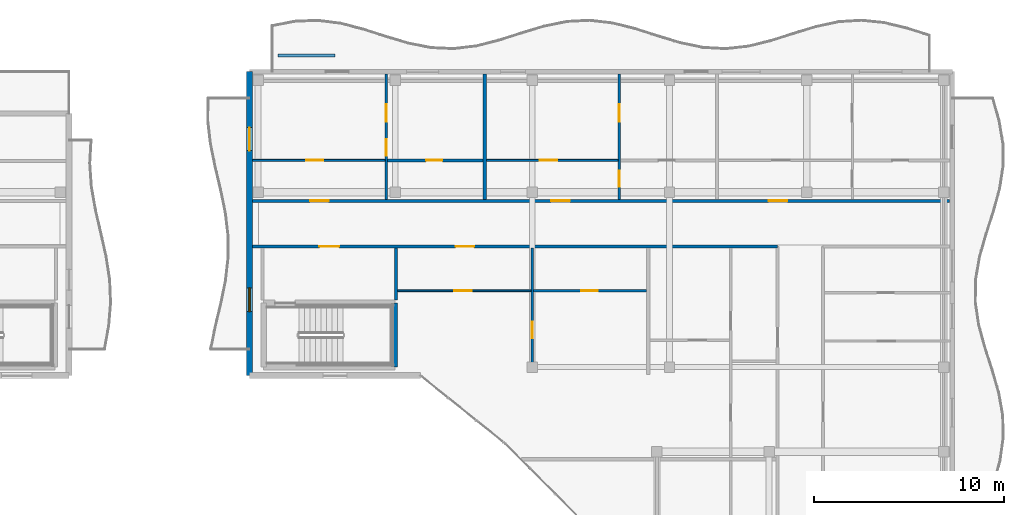
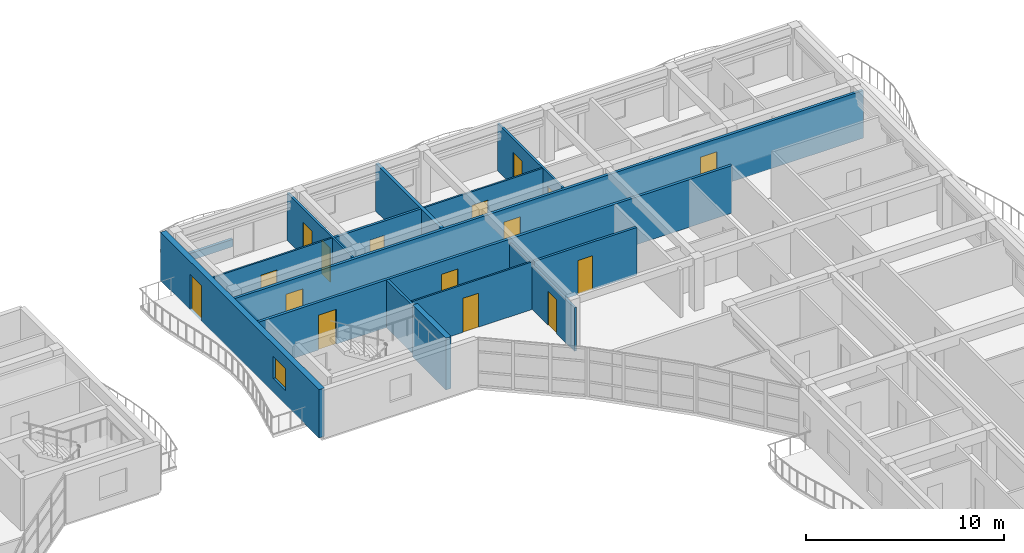
# One storey, part 36 of 54: 16 doors, 15 walls, 1 window, 17 openings.
"""IFC4 building model written with IfcOpenShell, lengths in metres."""

from ifc_helpers import new_model, si_unit, direction, frame, frame_2d, origin, place, context, subcontext, project, spatial, rectangle, extrude, material, layer, layer_set, type_object, element, fill, save


model = new_model("IFC4")

# Units and contexts
model_context = context("Model", 3, precision=1e-05, world=origin(), true_north=direction((0.0, 1.0)))
body_context = subcontext(model_context, "Body", "Model", "MODEL_VIEW")
ifc_project = project(units=[si_unit("LENGTHUNIT", "METRE"), si_unit("AREAUNIT", "SQUARE_METRE"), si_unit("VOLUMEUNIT", "CUBIC_METRE"), si_unit("PLANEANGLEUNIT", "RADIAN"), si_unit("MASSUNIT", "GRAM", prefix="KILO")], contexts=[model_context])

# Site, building, storey
site_placement = place(None, origin())
site = spatial("IfcSite", under=ifc_project, at=site_placement, CompositionType="ELEMENT")
building_placement = place(site_placement, origin())
building = spatial("IfcBuilding", under=site, at=building_placement, Name="Keldmere Railside Commons", CompositionType="ELEMENT")
storey_placement = place(building_placement, frame((0.0, 0.0, 26.56005859375)))
storey = spatial("IfcBuildingStorey", under=building, at=storey_placement, Name="L08", CompositionType="ELEMENT", Elevation=26.56005859375)

# Wall
ifc_material_1 = material(Name="Acoustic Gypsum Board Partition", Category="gypsum")
ifc_layer_1 = layer(ifc_material_1, 0.179931640625, Name="Acoustic Demising Partition 180")
ifc_layer_set_1 = layer_set([ifc_layer_1], Name="Acoustic Gypsum Board Partition")
wall_type_1 = type_object("IfcWallType", Name="Acoustic Demising Partition 180", PredefinedType="PARTITIONING", material=ifc_layer_set_1)
wall_1_placement = place(storey_placement, frame((159.389892578125, 109.280029296875, 0.0), z_axis=(0.0, 0.0, 1.0), x_axis=(0.0, 1.0, 0.0)))
element("IfcWall", 1, at=wall_1_placement, inside=storey, type_object=wall_type_1, Name="IW-1 IW-L08-1747", PredefinedType="PARTITIONING", context=body_context, shape_type="SweptSolid", body=[
    extrude(rectangle(XDim=6.599853515625, YDim=0.179931640625, at=frame_2d((3.2998046875, 0.0))), origin(), (0.0, 0.0, 1.0), 2.93505859375),
])

# Wall, openings, doors
ifc_layer_2 = layer(ifc_material_1, 0.1201171875, Name="Apartment Interior Partition 120")
ifc_layer_set_2 = layer_set([ifc_layer_2], Name="Acoustic Gypsum Board Partition")
wall_type_2 = type_object("IfcWallType", Name="Apartment Interior Partition 120", PredefinedType="PARTITIONING", material=ifc_layer_set_2)
wall_2_placement = place(storey_placement, frame((154.199951171875, 109.280029296875, 0.0), z_axis=(0.0, 0.0, 1.0), x_axis=(0.0, 1.0, 0.0)))
wall_2 = element("IfcWall", 2, at=wall_2_placement, inside=storey, type_object=wall_type_2, Name="IW-4 IW-L08-1749", PredefinedType="PARTITIONING", context=body_context, shape_type="SweptSolid", body=[
    extrude(rectangle(XDim=6.599853515625, YDim=0.1201171875, at=frame_2d((3.2998046875, 0.0))), origin(), (0.0, 0.0, 1.0), 2.93505859375),
])
opening_1_placement = place(wall_2_placement, frame((2.305908203125, 0.0, 0.0)))
opening_1 = element("IfcOpeningElement", 3, at=opening_1_placement, cuts=wall_2, Name="Opening ID-04", PredefinedType="OPENING", context=body_context, shape_type="SweptSolid", body=[
    extrude(rectangle(XDim=0.860107421875, YDim=2.10009765625, at=frame_2d((0.43017578125, 1.050048828125))), frame((0.0, 0.070068359375, 0.0), z_axis=(0.0, -1.0, 0.0), x_axis=(1.0, 0.0, 0.0)), (0.0, 0.0, 1.0), 0.14013671875),
])
opening_2_placement = place(wall_2_placement, frame((4.097412109375, 0.0, 0.0)))
opening_2 = element("IfcOpeningElement", 4, at=opening_2_placement, cuts=wall_2, Name="Opening ID-01", PredefinedType="OPENING", context=body_context, shape_type="SweptSolid", body=[
    extrude(rectangle(XDim=0.89990234375, YDim=2.10009765625, at=frame_2d((0.449951171875, 1.050048828125))), frame((0.0, 0.070068359375, 0.0), z_axis=(0.0, -1.0, 0.0), x_axis=(1.0, 0.0, 0.0)), (0.0, 0.0, 1.0), 0.14013671875),
])
ifc_material_2 = material(Name="Engineered Oak Timber", Category="wood")
door_type_1 = type_object("IfcDoorType", Name="Apartment Bathroom Door 860x2100", OperationType="NOTDEFINED", PredefinedType="DOOR", material=ifc_material_2)
door_1_placement = place(opening_1_placement, origin())
door_1 = element("IfcDoor", 5, at=door_1_placement, inside=storey, type_object=door_type_1, Name="ID-04 IDR-L08-1592", OperationType="SINGLE_SWING_RIGHT", OverallHeight=2.10009765625, OverallWidth=0.860107421875, PredefinedType="DOOR", context=body_context, shape_type="SweptSolid", body=[
    extrude(rectangle(XDim=0.860107421875, YDim=2.10009765625, at=frame_2d((0.43017578125, 1.050048828125))), frame((0.0, 0.02490234375, 0.0), z_axis=(0.0, -1.0, 0.0), x_axis=(1.0, 0.0, 0.0)), (0.0, 0.0, 1.0), 0.050048828125),
])
fill(opening_1, door_1)
door_type_2 = type_object("IfcDoorType", Name="Primary Bedroom Door 900x2100", OperationType="NOTDEFINED", PredefinedType="DOOR", material=ifc_material_2)
door_2_placement = place(opening_2_placement, origin())
door_2 = element("IfcDoor", 6, at=door_2_placement, inside=storey, type_object=door_type_2, Name="ID-01 IDR-L08-1593", OperationType="SINGLE_SWING_LEFT", OverallHeight=2.10009765625, OverallWidth=0.89990234375, PredefinedType="DOOR", context=body_context, shape_type="SweptSolid", body=[
    extrude(rectangle(XDim=0.89990234375, YDim=2.10009765625, at=frame_2d((0.449951171875, 1.050048828125))), frame((0.0, 0.02490234375, 0.0), z_axis=(0.0, -1.0, 0.0), x_axis=(1.0, 0.0, 0.0)), (0.0, 0.0, 1.0), 0.050048828125),
])
fill(opening_2, door_2)

wall_3_placement = place(storey_placement, frame((166.4599609375, 109.280029296875, 0.0), z_axis=(0.0, 0.0, 1.0), x_axis=(0.0, 1.0, 0.0)))
wall_3 = element("IfcWall", 7, at=wall_3_placement, inside=storey, type_object=wall_type_2, Name="IW-4 IW-L08-1752", PredefinedType="PARTITIONING", context=body_context, shape_type="SweptSolid", body=[
    extrude(rectangle(XDim=6.599853515625, YDim=0.1201171875, at=frame_2d((3.2998046875, 0.0))), origin(), (0.0, 0.0, 1.0), 2.93505859375),
])
opening_3_placement = place(wall_3_placement, frame((0.656005859375, 0.0, 0.0)))
opening_3 = element("IfcOpeningElement", 8, at=opening_3_placement, cuts=wall_3, Name="Opening ID-04", PredefinedType="OPENING", context=body_context, shape_type="SweptSolid", body=[
    extrude(rectangle(XDim=0.860107421875, YDim=2.10009765625, at=frame_2d((0.43017578125, 1.050048828125))), frame((0.0, 0.070068359375, 0.0), z_axis=(0.0, -1.0, 0.0), x_axis=(1.0, 0.0, 0.0)), (0.0, 0.0, 1.0), 0.14013671875),
])
opening_4_placement = place(wall_3_placement, frame((4.097412109375, 0.0, 0.0)))
opening_4 = element("IfcOpeningElement", 9, at=opening_4_placement, cuts=wall_3, Name="Opening ID-01", PredefinedType="OPENING", context=body_context, shape_type="SweptSolid", body=[
    extrude(rectangle(XDim=0.89990234375, YDim=2.10009765625, at=frame_2d((0.449951171875, 1.050048828125))), frame((0.0, 0.070068359375, 0.0), z_axis=(0.0, -1.0, 0.0), x_axis=(1.0, 0.0, 0.0)), (0.0, 0.0, 1.0), 0.14013671875),
])
door_3_placement = place(opening_3_placement, origin())
door_3 = element("IfcDoor", 10, at=door_3_placement, inside=storey, type_object=door_type_1, Name="ID-04 IDR-L08-1597", OperationType="SINGLE_SWING_LEFT", OverallHeight=2.10009765625, OverallWidth=0.860107421875, PredefinedType="DOOR", context=body_context, shape_type="SweptSolid", body=[
    extrude(rectangle(XDim=0.860107421875, YDim=2.10009765625, at=frame_2d((0.43017578125, 1.050048828125))), frame((0.0, 0.02490234375, 0.0), z_axis=(0.0, -1.0, 0.0), x_axis=(1.0, 0.0, 0.0)), (0.0, 0.0, 1.0), 0.050048828125),
])
fill(opening_3, door_3)
door_4_placement = place(opening_4_placement, origin())
door_4 = element("IfcDoor", 11, at=door_4_placement, inside=storey, type_object=door_type_2, Name="ID-01 IDR-L08-1598", OperationType="SINGLE_SWING_RIGHT", OverallHeight=2.10009765625, OverallWidth=0.89990234375, PredefinedType="DOOR", context=body_context, shape_type="SweptSolid", body=[
    extrude(rectangle(XDim=0.89990234375, YDim=2.10009765625, at=frame_2d((0.449951171875, 1.050048828125))), frame((0.0, 0.02490234375, 0.0), z_axis=(0.0, -1.0, 0.0), x_axis=(1.0, 0.0, 0.0)), (0.0, 0.0, 1.0), 0.050048828125),
])
fill(opening_4, door_4)

# Wall, opening, door
wall_4_placement = place(storey_placement, frame((161.8798828125, 100.159912109375, 0.0), z_axis=(0.0, 0.0, 1.0), x_axis=(0.0, 1.0, 0.0)))
wall_4 = element("IfcWall", 12, at=wall_4_placement, inside=storey, type_object=wall_type_2, Name="IW-4 IW-L08-1758", PredefinedType="PARTITIONING", context=body_context, shape_type="SweptSolid", body=[
    extrude(rectangle(XDim=6.56005859375, YDim=0.1201171875, at=frame_2d((3.280029296875, 0.0))), origin(), (0.0, 0.0, 1.0), 2.679931640625),
])
opening_5_placement = place(wall_4_placement, frame((1.810302734375, 0.0, 0.0)))
opening_5 = element("IfcOpeningElement", 13, at=opening_5_placement, cuts=wall_4, Name="Opening ID-02", PredefinedType="OPENING", context=body_context, shape_type="SweptSolid", body=[
    extrude(rectangle(XDim=0.8798828125, YDim=2.10009765625, at=frame_2d((0.43994140625, 1.050048828125))), frame((0.0, 0.070068359375, 0.0), z_axis=(0.0, -1.0, 0.0), x_axis=(1.0, 0.0, 0.0)), (0.0, 0.0, 1.0), 0.14013671875),
])
door_type_3 = type_object("IfcDoorType", Name="Secondary Bedroom Door 880x2100", OperationType="NOTDEFINED", PredefinedType="DOOR", material=ifc_material_2)
door_5_placement = place(opening_5_placement, origin())
door_5 = element("IfcDoor", 14, at=door_5_placement, inside=storey, type_object=door_type_3, Name="ID-02 IDR-L08-1607", OperationType="SINGLE_SWING_LEFT", OverallHeight=2.10009765625, OverallWidth=0.8798828125, PredefinedType="DOOR", context=body_context, shape_type="SweptSolid", body=[
    extrude(rectangle(XDim=0.8798828125, YDim=2.10009765625, at=frame_2d((0.43994140625, 1.050048828125))), frame((0.0, 0.02490234375, 0.0), z_axis=(0.0, -1.0, 0.0), x_axis=(1.0, 0.0, 0.0)), (0.0, 0.0, 1.0), 0.050048828125),
])
fill(opening_5, door_5)

# Wall
ifc_material_3 = material(Name="White Precast Concrete H-35 (C35/45)", Category="concrete")
ifc_layer_3 = layer(ifc_material_3, 0.169921875, Name="Balcony Planter Kerb Wall 170")
ifc_layer_set_3 = layer_set([ifc_layer_3], Name="White Precast Concrete H-35 (C35/45)")
wall_type_3 = type_object("IfcWallType", Name="Balcony Planter Kerb Wall 170", PredefinedType="PARAPET", material=ifc_layer_set_3)
wall_5_placement = place(storey_placement, frame((148.5, 116.85009765625, 0.0), z_axis=(0.0, 0.0, 1.0), x_axis=(1.0, 0.0, 0.0)))
element("IfcWall", 15, at=wall_5_placement, inside=storey, type_object=wall_type_3, Name="PW-2 PKBA-L08-0937", PredefinedType="PARAPET", context=body_context, shape_type="SweptSolid", body=[
    extrude(rectangle(XDim=3.0, YDim=0.169921875, at=frame_2d((1.5, 0.0))), origin(), (0.0, 0.0, 1.0), 0.449951171875),
])

# Wall, opening, door
ifc_layer_4 = layer(ifc_material_1, 0.10009765625, Name="Closet Light Partition 100")
ifc_layer_set_4 = layer_set([ifc_layer_4], Name="Acoustic Gypsum Board Partition")
wall_type_4 = type_object("IfcWallType", Name="Closet Light Partition 100", PredefinedType="PARTITIONING", material=ifc_layer_set_4)
wall_6_placement = place(storey_placement, frame((147.159912109375, 111.330078125, 0.0), z_axis=(0.0, 0.0, 1.0), x_axis=(1.0, 0.0, 0.0)))
wall_6 = element("IfcWall", 16, at=wall_6_placement, inside=storey, type_object=wall_type_4, Name="IW-6 IW-L08-1751", PredefinedType="PARTITIONING", context=body_context, shape_type="SweptSolid", body=[
    extrude(rectangle(XDim=6.97998046875, YDim=0.10009765625, at=frame_2d((3.489990234375, 0.0))), origin(), (0.0, 0.0, 1.0), 2.93505859375),
])
opening_6_placement = place(wall_6_placement, frame((2.81591796875, 0.0, 0.0)))
opening_6 = element("IfcOpeningElement", 17, at=opening_6_placement, cuts=wall_6, Name="Opening ID-03", PredefinedType="OPENING", context=body_context, shape_type="SweptSolid", body=[
    extrude(rectangle(XDim=0.919921875, YDim=2.10009765625, at=frame_2d((0.4599609375, 1.050048828125))), frame((0.0, 0.06005859375, 0.0), z_axis=(0.0, -1.0, 0.0), x_axis=(1.0, 0.0, 0.0)), (0.0, 0.0, 1.0), 0.1201171875),
])
door_type_4 = type_object("IfcDoorType", Name="Kitchen Pocket-Frame Swing Door 920x2100", OperationType="NOTDEFINED", PredefinedType="DOOR", material=ifc_material_2)
door_6_placement = place(opening_6_placement, origin())
door_6 = element("IfcDoor", 18, at=door_6_placement, inside=storey, type_object=door_type_4, Name="ID-03 IDR-L08-1591", OperationType="SINGLE_SWING_LEFT", OverallHeight=2.10009765625, OverallWidth=0.919921875, PredefinedType="DOOR", context=body_context, shape_type="SweptSolid", body=[
    extrude(rectangle(XDim=0.919921875, YDim=2.10009765625, at=frame_2d((0.4599609375, 1.050048828125))), frame((0.0, 0.02490234375, 0.0), z_axis=(0.0, -1.0, 0.0), x_axis=(1.0, 0.0, 0.0)), (0.0, 0.0, 1.0), 0.050048828125),
])
fill(opening_6, door_6)

wall_7_placement = place(storey_placement, frame((159.47998046875, 111.330078125, 0.0), z_axis=(0.0, 0.0, 1.0), x_axis=(1.0, 0.0, 0.0)))
wall_7 = element("IfcWall", 19, at=wall_7_placement, inside=storey, type_object=wall_type_4, Name="IW-6 IW-L08-1754", PredefinedType="PARTITIONING", context=body_context, shape_type="SweptSolid", body=[
    extrude(rectangle(XDim=6.919921875, YDim=0.10009765625, at=frame_2d((3.4599609375, 0.0))), origin(), (0.0, 0.0, 1.0), 2.93505859375),
])
opening_7_placement = place(wall_7_placement, frame((2.7919921875, 0.0, 0.0)))
opening_7 = element("IfcOpeningElement", 20, at=opening_7_placement, cuts=wall_7, Name="Opening ID-03", PredefinedType="OPENING", context=body_context, shape_type="SweptSolid", body=[
    extrude(rectangle(XDim=0.919921875, YDim=2.10009765625, at=frame_2d((0.4599609375, 1.050048828125))), frame((0.0, 0.06005859375, 0.0), z_axis=(0.0, -1.0, 0.0), x_axis=(1.0, 0.0, 0.0)), (0.0, 0.0, 1.0), 0.1201171875),
])
door_7_placement = place(opening_7_placement, origin())
door_7 = element("IfcDoor", 21, at=door_7_placement, inside=storey, type_object=door_type_4, Name="ID-03 IDR-L08-1596", OperationType="SINGLE_SWING_RIGHT", OverallHeight=2.10009765625, OverallWidth=0.919921875, PredefinedType="DOOR", context=body_context, shape_type="SweptSolid", body=[
    extrude(rectangle(XDim=0.919921875, YDim=2.10009765625, at=frame_2d((0.4599609375, 1.050048828125))), frame((0.0, 0.02490234375, 0.0), z_axis=(0.0, -1.0, 0.0), x_axis=(1.0, 0.0, 0.0)), (0.0, 0.0, 1.0), 0.050048828125),
])
fill(opening_7, door_7)

wall_8_placement = place(storey_placement, frame((154.800048828125, 104.469970703125, 0.0), z_axis=(0.0, 0.0, 1.0), x_axis=(1.0, 0.0, 0.0)))
wall_8 = element("IfcWall", 22, at=wall_8_placement, inside=storey, type_object=wall_type_4, Name="IW-6 IW-L08-1760", PredefinedType="PARTITIONING", context=body_context, shape_type="SweptSolid", body=[
    extrude(rectangle(XDim=7.02001953125, YDim=0.10009765625, at=frame_2d((3.510009765625, 0.0))), origin(), (0.0, 0.0, 1.0), 2.93505859375),
])
opening_8_placement = place(wall_8_placement, frame((2.9736328125, 0.0, 0.0)))
opening_8 = element("IfcOpeningElement", 23, at=opening_8_placement, cuts=wall_8, Name="Opening ID-03", PredefinedType="OPENING", context=body_context, shape_type="SweptSolid", body=[
    extrude(rectangle(XDim=0.919921875, YDim=2.10009765625, at=frame_2d((0.4599609375, 1.050048828125))), frame((0.0, 0.06005859375, 0.0), z_axis=(0.0, -1.0, 0.0), x_axis=(1.0, 0.0, 0.0)), (0.0, 0.0, 1.0), 0.1201171875),
])
door_8_placement = place(opening_8_placement, origin())
door_8 = element("IfcDoor", 24, at=door_8_placement, inside=storey, type_object=door_type_4, Name="ID-03 IDR-L08-1606", OperationType="SINGLE_SWING_RIGHT", OverallHeight=2.10009765625, OverallWidth=0.919921875, PredefinedType="DOOR", context=body_context, shape_type="SweptSolid", body=[
    extrude(rectangle(XDim=0.919921875, YDim=2.10009765625, at=frame_2d((0.4599609375, 1.050048828125))), frame((0.0, 0.02490234375, 0.0), z_axis=(0.0, -1.0, 0.0), x_axis=(1.0, 0.0, 0.0)), (0.0, 0.0, 1.0), 0.050048828125),
])
fill(opening_8, door_8)

# Wall, openings, doors
ifc_layer_5 = layer(ifc_material_1, 0.159912109375, Name="Corridor Fire Partition 160")
ifc_layer_set_5 = layer_set([ifc_layer_5], Name="Acoustic Gypsum Board Partition")
wall_type_5 = type_object("IfcWallType", Name="Corridor Fire Partition 160", PredefinedType="PARTITIONING", material=ifc_layer_set_5)
wall_9_placement = place(storey_placement, frame((147.159912109375, 106.800048828125, 0.0), z_axis=(0.0, 0.0, 1.0), x_axis=(1.0, 0.0, 0.0)))
wall_9 = element("IfcWall", 25, at=wall_9_placement, inside=storey, type_object=wall_type_5, Name="IW-2 IW-L08-1724", PredefinedType="PARTITIONING", context=body_context, shape_type="SweptSolid", body=[
    extrude(rectangle(XDim=27.64013671875, YDim=0.159912109375, at=frame_2d((13.820068359375, 0.0))), origin(), (0.0, 0.0, 1.0), 2.93505859375),
])
opening_9_placement = place(wall_9_placement, frame((3.514892578125, 0.0, 0.0)))
opening_9 = element("IfcOpeningElement", 26, at=opening_9_placement, cuts=wall_9, Name="Opening FD-1", PredefinedType="OPENING", context=body_context, shape_type="SweptSolid", body=[
    extrude(rectangle(XDim=1.050048828125, YDim=2.14990234375, at=frame_2d((0.52490234375, 1.074951171875))), frame((0.0, 0.08984375, 0.0), z_axis=(0.0, -1.0, 0.0), x_axis=(1.0, 0.0, 0.0)), (0.0, 0.0, 1.0), 0.179931640625),
])
opening_10_placement = place(wall_9_placement, frame((10.68994140625, 0.0, 0.0)))
opening_10 = element("IfcOpeningElement", 27, at=opening_10_placement, cuts=wall_9, Name="Opening FD-7", PredefinedType="OPENING", context=body_context, shape_type="SweptSolid", body=[
    extrude(rectangle(XDim=0.97998046875, YDim=2.14990234375, at=frame_2d((0.489990234375, 1.074951171875))), frame((0.0, 0.08984375, 0.0), z_axis=(0.0, -1.0, 0.0), x_axis=(1.0, 0.0, 0.0)), (0.0, 0.0, 1.0), 0.179931640625),
])
door_type_5 = type_object("IfcDoorType", Name="Apartment Entrance Acoustic Fire Door 980x2150", OperationType="NOTDEFINED", PredefinedType="DOOR", material=ifc_material_2)
door_9_placement = place(opening_10_placement, origin())
door_9 = element("IfcDoor", 28, at=door_9_placement, inside=storey, type_object=door_type_5, Name="FD-7 IDR-L08-1605", OperationType="SINGLE_SWING_LEFT", OverallHeight=2.14990234375, OverallWidth=0.97998046875, PredefinedType="DOOR", context=body_context, shape_type="SweptSolid", body=[
    extrude(rectangle(XDim=0.97998046875, YDim=2.14990234375, at=frame_2d((0.489990234375, 1.074951171875))), frame((0.0, 0.02490234375, 0.0), z_axis=(0.0, -1.0, 0.0), x_axis=(1.0, 0.0, 0.0)), (0.0, 0.0, 1.0), 0.050048828125),
])
fill(opening_10, door_9)
ifc_material_4 = material(Name="Steel F-24 (S235)", Category="steel")
door_type_6 = type_object("IfcDoorType", Name="Stair Core Fire Door 1050x2150", OperationType="NOTDEFINED", PredefinedType="DOOR", material=ifc_material_4)
door_10_placement = place(opening_9_placement, origin())
door_10 = element("IfcDoor", 29, at=door_10_placement, inside=storey, type_object=door_type_6, Name="FD-1 IDR-L08-1569", OperationType="SINGLE_SWING_LEFT", OverallHeight=2.14990234375, OverallWidth=1.050048828125, PredefinedType="DOOR", context=body_context, shape_type="SweptSolid", body=[
    extrude(rectangle(XDim=1.050048828125, YDim=2.14990234375, at=frame_2d((0.52490234375, 1.074951171875))), frame((0.0, 0.02490234375, 0.0), z_axis=(0.0, -1.0, 0.0), x_axis=(1.0, 0.0, 0.0)), (0.0, 0.0, 1.0), 0.050048828125),
])
fill(opening_9, door_10)

wall_10_placement = place(storey_placement, frame((147.159912109375, 109.199951171875, 0.0), z_axis=(0.0, 0.0, 1.0), x_axis=(1.0, 0.0, 0.0)))
wall_10 = element("IfcWall", 30, at=wall_10_placement, inside=storey, type_object=wall_type_5, Name="IW-2 IW-L08-1726", PredefinedType="PARTITIONING", context=body_context, shape_type="SweptSolid", body=[
    extrude(rectangle(XDim=36.68017578125, YDim=0.159912109375, at=frame_2d((18.340087890625, 0.0))), origin(), (0.0, 0.0, 1.0), 2.93505859375),
])
opening_11_placement = place(wall_10_placement, frame((3.030029296875, 0.0, 0.0)))
opening_11 = element("IfcOpeningElement", 31, at=opening_11_placement, cuts=wall_10, Name="Opening FD-7", PredefinedType="OPENING", context=body_context, shape_type="SweptSolid", body=[
    extrude(rectangle(XDim=0.97998046875, YDim=2.14990234375, at=frame_2d((0.489990234375, 1.074951171875))), frame((0.0, 0.08984375, 0.0), z_axis=(0.0, -1.0, 0.0), x_axis=(1.0, 0.0, 0.0)), (0.0, 0.0, 1.0), 0.179931640625),
])
opening_12_placement = place(wall_10_placement, frame((15.719970703125, 0.0, 0.0)))
opening_12 = element("IfcOpeningElement", 32, at=opening_12_placement, cuts=wall_10, Name="Opening FD-7", PredefinedType="OPENING", context=body_context, shape_type="SweptSolid", body=[
    extrude(rectangle(XDim=0.97998046875, YDim=2.14990234375, at=frame_2d((0.489990234375, 1.074951171875))), frame((0.0, 0.08984375, 0.0), z_axis=(0.0, -1.0, 0.0), x_axis=(1.0, 0.0, 0.0)), (0.0, 0.0, 1.0), 0.179931640625),
])
opening_13_placement = place(wall_10_placement, frame((27.169921875, 0.0, 0.0)))
opening_13 = element("IfcOpeningElement", 33, at=opening_13_placement, cuts=wall_10, Name="Opening FD-7", PredefinedType="OPENING", context=body_context, shape_type="SweptSolid", body=[
    extrude(rectangle(XDim=0.97998046875, YDim=2.14990234375, at=frame_2d((0.489990234375, 1.074951171875))), frame((0.0, 0.08984375, 0.0), z_axis=(0.0, -1.0, 0.0), x_axis=(1.0, 0.0, 0.0)), (0.0, 0.0, 1.0), 0.179931640625),
])
door_11_placement = place(opening_11_placement, origin())
door_11 = element("IfcDoor", 34, at=door_11_placement, inside=storey, type_object=door_type_5, Name="FD-7 IDR-L08-1590", OperationType="SINGLE_SWING_RIGHT", OverallHeight=2.14990234375, OverallWidth=0.97998046875, PredefinedType="DOOR", context=body_context, shape_type="SweptSolid", body=[
    extrude(rectangle(XDim=0.97998046875, YDim=2.14990234375, at=frame_2d((0.489990234375, 1.074951171875))), frame((0.0, 0.02490234375, 0.0), z_axis=(0.0, -1.0, 0.0), x_axis=(1.0, 0.0, 0.0)), (0.0, 0.0, 1.0), 0.050048828125),
])
fill(opening_11, door_11)
door_12_placement = place(opening_12_placement, origin())
door_12 = element("IfcDoor", 35, at=door_12_placement, inside=storey, type_object=door_type_5, Name="FD-7 IDR-L08-1595", OperationType="SINGLE_SWING_LEFT", OverallHeight=2.14990234375, OverallWidth=0.97998046875, PredefinedType="DOOR", context=body_context, shape_type="SweptSolid", body=[
    extrude(rectangle(XDim=0.97998046875, YDim=2.14990234375, at=frame_2d((0.489990234375, 1.074951171875))), frame((0.0, 0.02490234375, 0.0), z_axis=(0.0, -1.0, 0.0), x_axis=(1.0, 0.0, 0.0)), (0.0, 0.0, 1.0), 0.050048828125),
])
fill(opening_12, door_12)
door_13_placement = place(opening_13_placement, origin())
door_13 = element("IfcDoor", 36, at=door_13_placement, inside=storey, type_object=door_type_5, Name="FD-7 IDR-L08-1600", OperationType="SINGLE_SWING_RIGHT", OverallHeight=2.14990234375, OverallWidth=0.97998046875, PredefinedType="DOOR", context=body_context, shape_type="SweptSolid", body=[
    extrude(rectangle(XDim=0.97998046875, YDim=2.14990234375, at=frame_2d((0.489990234375, 1.074951171875))), frame((0.0, 0.02490234375, 0.0), z_axis=(0.0, -1.0, 0.0), x_axis=(1.0, 0.0, 0.0)), (0.0, 0.0, 1.0), 0.050048828125),
])
fill(opening_13, door_13)

# Wall, openings, door, window
ifc_material_5 = material(Name="Concrete H-35 (C35/45)", Category="concrete")
ifc_layer_6 = layer(ifc_material_5, 0.320068359375, Name="Exterior Shear Wall 320")
ifc_layer_set_6 = layer_set([ifc_layer_6], Name="Concrete H-35 (C35/45)")
wall_type_6 = type_object("IfcWallType", Name="Exterior Shear Wall 320", PredefinedType="SHEAR", material=ifc_layer_set_6)
wall_11_placement = place(storey_placement, frame((147.0, 100.0, 0.0), z_axis=(0.0, 0.0, 1.0), x_axis=(0.0, 1.0, 0.0)))
wall_11 = element("IfcWall", 37, at=wall_11_placement, inside=storey, type_object=wall_type_6, Name="ESW-2 EXTA-L08-0934", PredefinedType="SHEAR", context=body_context, shape_type="SweptSolid", body=[
    extrude(rectangle(XDim=16.0, YDim=0.320068359375, at=frame_2d((8.0, 0.0))), origin(), (0.0, 0.0, 1.0), 2.97998046875),
])
opening_14_placement = place(wall_11_placement, frame((3.375, 0.0, 0.8701171875)))
opening_14 = element("IfcOpeningElement", 38, at=opening_14_placement, cuts=wall_11, Name="Opening WN-09", PredefinedType="OPENING", context=body_context, shape_type="SweptSolid", body=[
    extrude(rectangle(XDim=1.25, YDim=1.35009765625, at=frame_2d((0.625, 0.675048828125))), frame((0.0, 0.169921875, 0.0), z_axis=(0.0, -1.0, 0.0), x_axis=(1.0, 0.0, 0.0)), (0.0, 0.0, 1.0), 0.340087890625),
])
opening_15_placement = place(wall_11_placement, frame((11.85009765625, 0.0, 0.0)))
opening_15 = element("IfcOpeningElement", 39, at=opening_15_placement, cuts=wall_11, Name="Opening BD-01", PredefinedType="OPENING", context=body_context, shape_type="SweptSolid", body=[
    extrude(rectangle(XDim=1.199951171875, YDim=2.199951171875, at=frame_2d((0.60009765625, 1.10009765625))), frame((0.0, 0.169921875, 0.0), z_axis=(0.0, -1.0, 0.0), x_axis=(1.0, 0.0, 0.0)), (0.0, 0.0, 1.0), 0.340087890625),
])
ifc_material_6 = material(Name="Thermally Broken Aluminium", Category="aluminium")
door_type_7 = type_object("IfcDoorType", Name="Apartment Living Wave-Balcony Glazed Door 1200x2200", OperationType="NOTDEFINED", PredefinedType="DOOR", material=ifc_material_6)
door_14_placement = place(opening_15_placement, origin())
door_14 = element("IfcDoor", 40, at=door_14_placement, inside=storey, type_object=door_type_7, Name="BD-01 DR-L08-0266", OperationType="SINGLE_SWING_RIGHT", OverallHeight=2.199951171875, OverallWidth=1.199951171875, PredefinedType="DOOR", context=body_context, shape_type="SweptSolid", body=[
    extrude(rectangle(XDim=1.199951171875, YDim=2.199951171875, at=frame_2d((0.60009765625, 1.10009765625))), frame((0.0, 0.02490234375, 0.0), z_axis=(0.0, -1.0, 0.0), x_axis=(1.0, 0.0, 0.0)), (0.0, 0.0, 1.0), 0.050048828125),
])
fill(opening_15, door_14)
ifc_material_7 = material(Name="Low-E Insulated Double Glazing", Category="glass")
window_type = type_object("IfcWindowType", Name="Secondary Bedroom Window 1250x1350", PartitioningType="SINGLE_PANEL", PredefinedType="WINDOW", material=ifc_material_7)
window_placement = place(opening_14_placement, origin())
window = element("IfcWindow", 41, at=window_placement, inside=storey, type_object=window_type, Name="WN-09 WIN-L08-0733", OverallHeight=1.35009765625, OverallWidth=1.25, PartitioningType="SINGLE_PANEL", PredefinedType="WINDOW", context=body_context, shape_type="SweptSolid", body=[
    extrude(rectangle(XDim=1.25, YDim=1.35009765625, at=frame_2d((0.625, 0.675048828125))), frame((0.0, 0.030029296875, 0.0), z_axis=(0.0, -1.0, 0.0), x_axis=(1.0, 0.0, 0.0)), (0.0, 0.0, 1.0), 0.06005859375),
])
fill(opening_14, window)

# Walls
ifc_layer_7 = layer(ifc_material_5, 0.300048828125, Name="Interior Shear Wall 300")
ifc_layer_set_7 = layer_set([ifc_layer_7], Name="Concrete H-35 (C35/45)")
wall_type_7 = type_object("IfcWallType", Name="Interior Shear Wall 300", PredefinedType="SHEAR", material=ifc_layer_set_7)
wall_12_placement = place(storey_placement, frame((154.64990234375, 100.449951171875, 0.0), z_axis=(0.0, 0.0, 1.0), x_axis=(0.0, 1.0, 0.0)))
element("IfcWall", 42, at=wall_12_placement, inside=storey, type_object=wall_type_7, Name="ISW-2 COREA2E-L08-0815", PredefinedType="SHEAR", context=body_context, shape_type="SweptSolid", body=[
    extrude(rectangle(XDim=3.3701171875, YDim=0.300048828125, at=frame_2d((1.68505859375, 0.0))), origin(), (0.0, 0.0, 1.0), 3.199951171875),
])
ifc_layer_8 = layer(ifc_material_1, 0.14990234375, Name="Lobby Rated Partition 150")
ifc_layer_set_8 = layer_set([ifc_layer_8], Name="Acoustic Gypsum Board Partition")
wall_type_8 = type_object("IfcWallType", Name="Lobby Rated Partition 150", PredefinedType="PARTITIONING", material=ifc_layer_set_8)
wall_13_placement = place(storey_placement, frame((154.719970703125, 103.989990234375, 0.0), z_axis=(0.0, 0.0, 1.0), x_axis=(0.0, 1.0, 0.0)))
element("IfcWall", 43, at=wall_13_placement, inside=storey, type_object=wall_type_8, Name="IW-3 IW-L08-1729", PredefinedType="PARTITIONING", context=body_context, shape_type="SweptSolid", body=[
    extrude(rectangle(XDim=2.72998046875, YDim=0.14990234375, at=frame_2d((1.364990234375, 0.0))), origin(), (0.0, 0.0, 1.0), 2.93505859375),
])

# Wall, opening, door
ifc_layer_9 = layer(ifc_material_1, 0.139892578125, Name="Wet-Room Sanitary Partition 140")
ifc_layer_set_9 = layer_set([ifc_layer_9], Name="Acoustic Gypsum Board Partition")
wall_type_9 = type_object("IfcWallType", Name="Wet-Room Sanitary Partition 140", PredefinedType="PARTITIONING", material=ifc_layer_set_9)
wall_14_placement = place(storey_placement, frame((154.260009765625, 111.330078125, 0.0), z_axis=(0.0, 0.0, 1.0), x_axis=(1.0, 0.0, 0.0)))
wall_14 = element("IfcWall", 44, at=wall_14_placement, inside=storey, type_object=wall_type_9, Name="IW-5 IW-L08-1750", PredefinedType="PARTITIONING", context=body_context, shape_type="SweptSolid", body=[
    extrude(rectangle(XDim=5.0400390625, YDim=0.139892578125, at=frame_2d((2.52001953125, 0.0))), origin(), (0.0, 0.0, 1.0), 2.93505859375),
])
opening_16_placement = place(wall_14_placement, frame((2.0400390625, 0.0, 0.0)))
opening_16 = element("IfcOpeningElement", 45, at=opening_16_placement, cuts=wall_14, Name="Opening ID-06", PredefinedType="OPENING", context=body_context, shape_type="SweptSolid", body=[
    extrude(rectangle(XDim=0.85009765625, YDim=2.050048828125, at=frame_2d((0.425048828125, 1.02490234375))), frame((0.0, 0.079833984375, 0.0), z_axis=(0.0, -1.0, 0.0), x_axis=(1.0, 0.0, 0.0)), (0.0, 0.0, 1.0), 0.159912109375),
])
door_type_8 = type_object("IfcDoorType", Name="Storage Closet Door 850x2050", OperationType="NOTDEFINED", PredefinedType="DOOR", material=ifc_material_2)
door_15_placement = place(opening_16_placement, origin())
door_15 = element("IfcDoor", 46, at=door_15_placement, inside=storey, type_object=door_type_8, Name="ID-06 IDR-L08-1594", OperationType="SINGLE_SWING_RIGHT", OverallHeight=2.050048828125, OverallWidth=0.85009765625, PredefinedType="DOOR", context=body_context, shape_type="SweptSolid", body=[
    extrude(rectangle(XDim=0.85009765625, YDim=2.050048828125, at=frame_2d((0.425048828125, 1.02490234375))), frame((0.0, 0.02490234375, 0.0), z_axis=(0.0, -1.0, 0.0), x_axis=(1.0, 0.0, 0.0)), (0.0, 0.0, 1.0), 0.050048828125),
])
fill(opening_16, door_15)

wall_15_placement = place(storey_placement, frame((161.93994140625, 104.469970703125, 0.0), z_axis=(0.0, 0.0, 1.0), x_axis=(1.0, 0.0, 0.0)))
wall_15 = element("IfcWall", 47, at=wall_15_placement, inside=storey, type_object=wall_type_9, Name="IW-5 IW-L08-1759", PredefinedType="PARTITIONING", context=body_context, shape_type="SweptSolid", body=[
    extrude(rectangle(XDim=5.969970703125, YDim=0.139892578125, at=frame_2d((2.98486328125, 0.0))), origin(), (0.0, 0.0, 1.0), 2.93505859375),
])
opening_17_placement = place(wall_15_placement, frame((2.53271484375, 0.0, 0.0)))
opening_17 = element("IfcOpeningElement", 48, at=opening_17_placement, cuts=wall_15, Name="Opening ID-04", PredefinedType="OPENING", context=body_context, shape_type="SweptSolid", body=[
    extrude(rectangle(XDim=0.860107421875, YDim=2.10009765625, at=frame_2d((0.43017578125, 1.050048828125))), frame((0.0, 0.079833984375, 0.0), z_axis=(0.0, -1.0, 0.0), x_axis=(1.0, 0.0, 0.0)), (0.0, 0.0, 1.0), 0.159912109375),
])
door_16_placement = place(opening_17_placement, origin())
door_16 = element("IfcDoor", 49, at=door_16_placement, inside=storey, type_object=door_type_1, Name="ID-04 IDR-L08-1608", OperationType="SINGLE_SWING_RIGHT", OverallHeight=2.10009765625, OverallWidth=0.860107421875, PredefinedType="DOOR", context=body_context, shape_type="SweptSolid", body=[
    extrude(rectangle(XDim=0.860107421875, YDim=2.10009765625, at=frame_2d((0.43017578125, 1.050048828125))), frame((0.0, 0.02490234375, 0.0), z_axis=(0.0, -1.0, 0.0), x_axis=(1.0, 0.0, 0.0)), (0.0, 0.0, 1.0), 0.050048828125),
])
fill(opening_17, door_16)

save(model, "model.ifc")
